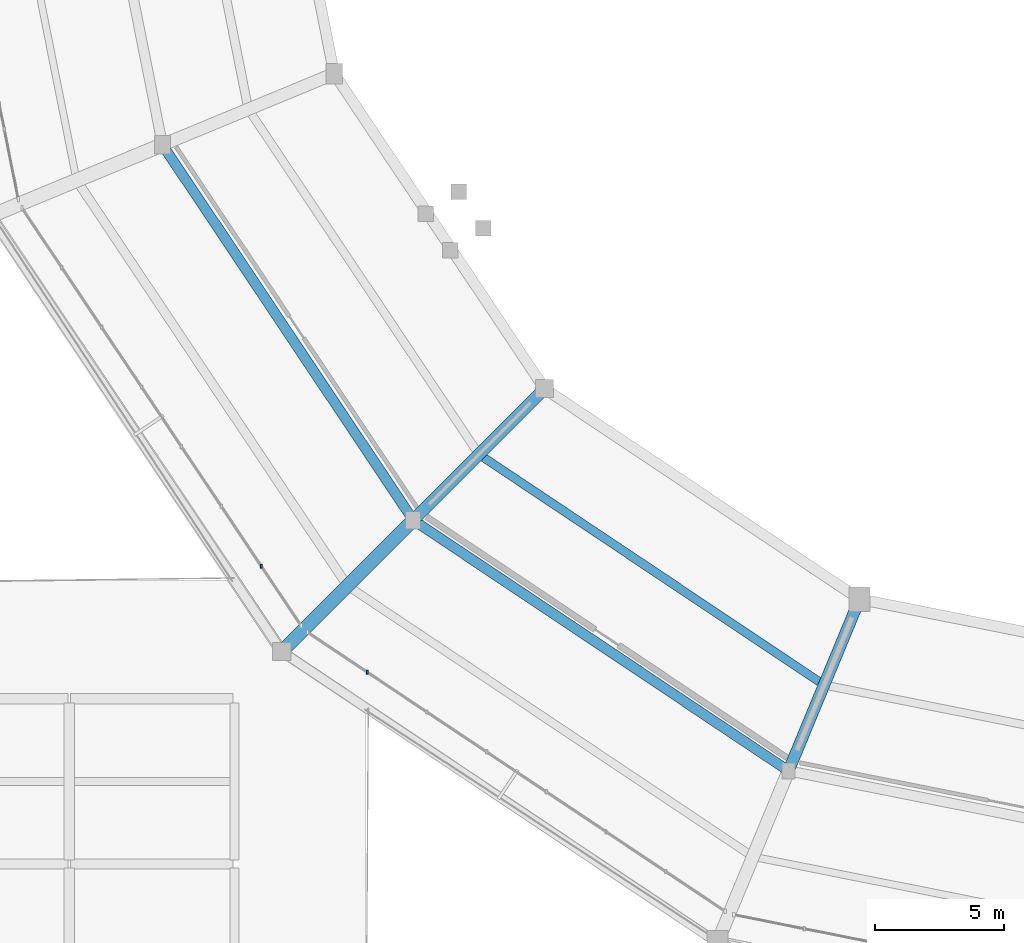
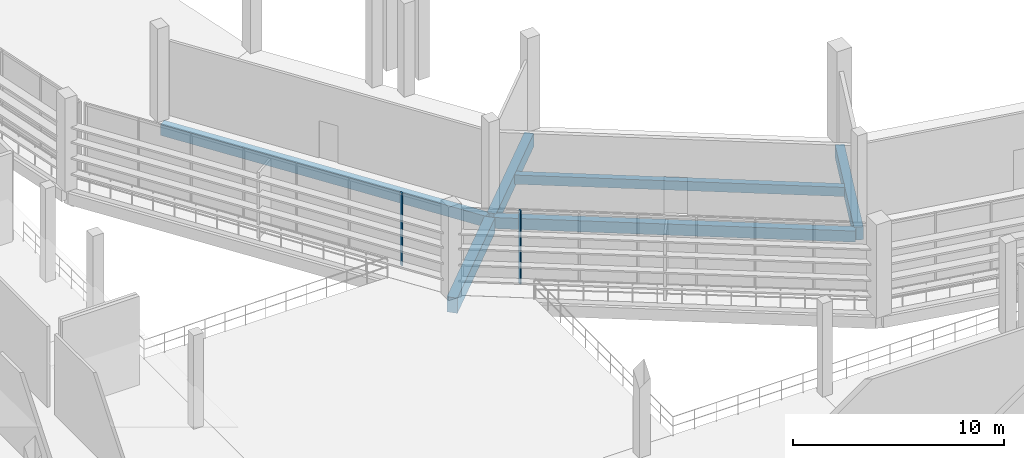
# One storey, part 16 of 111: 6 beams, 2 members, 2 elements without a shape of their own.
"""IFC4 building model written with IfcOpenShell, lengths in metres."""

from ifc_helpers import new_model, si_unit, direction, frame, origin, origin_2d, place, context, subcontext, project, spatial, rectangle, extrude, material, material_profile, profile_set, type_object, element, aggregate, save


model = new_model("IFC4")

# Units and contexts
model_context = context("Model", 3, precision=1e-05, world=origin(), true_north=direction((0.0, 1.0)))
body_context = subcontext(model_context, "Body", "Model", "MODEL_VIEW")
ifc_project = project(units=[si_unit("LENGTHUNIT", "METRE"), si_unit("AREAUNIT", "SQUARE_METRE"), si_unit("VOLUMEUNIT", "CUBIC_METRE"), si_unit("PLANEANGLEUNIT", "RADIAN"), si_unit("MASSUNIT", "GRAM", prefix="KILO")], contexts=[model_context])

# Site, building, storey
site_placement = place(None, origin())
site = spatial("IfcSite", under=ifc_project, at=site_placement, CompositionType="ELEMENT")
building_placement = place(site_placement, origin())
building = spatial("IfcBuilding", under=site, at=building_placement, Name="Candeia Ridge Stadium", CompositionType="ELEMENT")
storey_placement = place(building_placement, frame((0.0, 0.0, 16.199951171875)))
storey = spatial("IfcBuildingStorey", under=building, at=storey_placement, Name="L03", CompositionType="ELEMENT", Elevation=16.199951171875)

# Beam
ifc_material_1 = material(Name="Concrete C45/55", Category="concrete")
ifc_material_profile_1 = material_profile(ifc_material_1, rectangle(XDim=0.449951171875, YDim=0.75, at=origin_2d()), Name="RC450x750", Category="concrete")
ifc_profile_set_1 = profile_set([ifc_material_profile_1], Name="Concrete C45/55")
beam_type_1 = type_object("IfcBeamType", Name="Bowl Radial Girder RC450x750", PredefinedType="BEAM", material=ifc_profile_set_1)
beam_1_placement = place(storey_placement, frame((56.5498046875, 36.1142578125, -0.625), z_axis=(-0.382681914982, -0.923880161031, 0.0), x_axis=(0.923880161031, -0.382681914982, 0.0)))
element("IfcBeam", 1, at=beam_1_placement, inside=storey, type_object=beam_type_1, Name="Bowl radial girder BM-L03-0515", PredefinedType="BEAM", context=body_context, shape_type="SweptSolid", body=[
    extrude(rectangle(XDim=0.449951171875, YDim=0.75, at=origin_2d()), origin(), (0.0, 0.0, 1.0), 6.8798828125),
])

# Curtain wall, member
ifc_material_2 = material(Name="Aluminium Anodized Warm Bronze", Category="aluminium")
curtain_wall_type = type_object("IfcCurtainWallType", Name="Concourse Recessed Unitised Curtain Wall", PredefinedType="NOTDEFINED", material=ifc_material_2)
curtain_wall_1_placement = place(storey_placement, origin())
curtain_wall_1 = element("IfcCurtainWall", 2, at=curtain_wall_1_placement, inside=storey, type_object=curtain_wall_type, Name="Unitised curtain wall CW-BWL-L03-15", PredefinedType="NOTDEFINED")
ifc_material_profile_2 = material_profile(ifc_material_2, rectangle(XDim=0.074951171875, YDim=0.14990234375, at=origin_2d()), Name="CWM-75x150", Category="aluminium")
ifc_profile_set_2 = profile_set([ifc_material_profile_2], Name="Aluminium Anodized Warm Bronze")
member_type = type_object("IfcMemberType", Name="Curtain Wall Secondary Mullion 75x150", PredefinedType="MULLION", material=ifc_profile_set_2)
member_1_placement = place(storey_placement, frame((33.434326171875, 37.540283203125, 0.0), z_axis=(0.0, 0.0, 1.0), x_axis=(1.0, 0.0, 0.0)))
member_1 = element("IfcMember", 3, at=member_1_placement, type_object=member_type, Name="Curtain wall mullion CW-BWL-L03-15-M6", PredefinedType="MULLION", context=body_context, shape_type="SweptSolid", body=[
    extrude(rectangle(XDim=0.074951171875, YDim=0.14990234375, at=origin_2d()), origin(), (0.0, 0.0, 1.0), 4.205078125),
])
aggregate(curtain_wall_1, [member_1])

curtain_wall_2_placement = place(storey_placement, origin())
curtain_wall_2 = element("IfcCurtainWall", 4, at=curtain_wall_2_placement, inside=storey, type_object=curtain_wall_type, Name="Unitised curtain wall CW-BWL-L03-16", PredefinedType="NOTDEFINED")
member_2_placement = place(storey_placement, frame((37.540283203125, 33.434326171875, 0.0), z_axis=(0.0, 0.0, 1.0), x_axis=(1.0, 0.0, 0.0)))
member_2 = element("IfcMember", 5, at=member_2_placement, type_object=member_type, Name="Curtain wall mullion CW-BWL-L03-16-M1", PredefinedType="MULLION", context=body_context, shape_type="SweptSolid", body=[
    extrude(rectangle(XDim=0.074951171875, YDim=0.14990234375, at=origin_2d()), origin(), (0.0, 0.0, 1.0), 4.2451171875),
])
aggregate(curtain_wall_2, [member_2])

# Beams
ifc_material_3 = material(Name="Concrete C40/50", Category="concrete")
ifc_material_profile_3 = material_profile(ifc_material_3, rectangle(XDim=0.330078125, YDim=0.530029296875, at=origin_2d()), Name="RC330x530", Category="concrete")
ifc_profile_set_3 = profile_set([ifc_material_profile_3], Name="Concrete C40/50")
beam_type_2 = type_object("IfcBeamType", Name="Floor Joist RC330x530", PredefinedType="JOIST", material=ifc_profile_set_3)
beam_2_placement = place(storey_placement, frame((42.0517578125, 41.743896484375, -0.514892578125), z_axis=(0.831470752017, -0.555568527312, 0.0), x_axis=(0.555568527312, 0.831470752017, 0.0)))
element("IfcBeam", 6, at=beam_2_placement, inside=storey, type_object=beam_type_2, Name="Concourse secondary joist BM-L03-0631", PredefinedType="JOIST", context=body_context, shape_type="SweptSolid", body=[
    extrude(rectangle(XDim=0.330078125, YDim=0.530029296875, at=origin_2d()), origin(), (0.0, 0.0, 1.0), 15.63134765625),
])
ifc_material_profile_4 = material_profile(ifc_material_3, rectangle(XDim=0.389892578125, YDim=0.639892578125, at=origin_2d()), Name="RC390x640", Category="concrete")
ifc_profile_set_4 = profile_set([ifc_material_profile_4], Name="Concrete C40/50")
beam_type_3 = type_object("IfcBeamType", Name="Frame Girder RC390x640", PredefinedType="BEAM", material=ifc_profile_set_4)
for number, where, z_axis, x_axis, name in (
    (7, (29.698974609375, 53.72265625, -0.570068359375), (0.555573223542, -0.831467614091, 0.0), (0.831467614091, 0.555573223542, 0.0), "Concourse spine girder BM-L03-0624"),
    (8, (39.45458984375, 39.232666015625, -0.570068359375), (0.831467614091, -0.555573223542, 0.0), (0.555573223542, 0.831467614091, 0.0), "Concourse spine girder BM-L03-0629"),
):
    element("IfcBeam", number, at=place(storey_placement, frame(where, z_axis=z_axis, x_axis=x_axis)), inside=storey, type_object=beam_type_3, Name=name, PredefinedType="BEAM", context=body_context, shape_type="SweptSolid", body=[
        extrude(rectangle(XDim=0.389892578125, YDim=0.639892578125, at=origin_2d()), origin(), (0.0, 0.0, 1.0), 17.16015625),
    ])
ifc_material_profile_5 = material_profile(ifc_material_3, rectangle(XDim=0.4599609375, YDim=0.780029296875, at=origin_2d()), Name="RC460x780", Category="concrete")
ifc_profile_set_5 = profile_set([ifc_material_profile_5], Name="Concrete C40/50")
beam_type_4 = type_object("IfcBeamType", Name="Frame Girder RC460x780", PredefinedType="BEAM", material=ifc_profile_set_5)
beam_3_placement = place(storey_placement, frame((44.299560546875, 44.299560546875, -0.639892578125), z_axis=(-0.707106781187, -0.707106781187, 0.0), x_axis=(0.707106781187, -0.707106781187, 0.0)))
element("IfcBeam", 9, at=beam_3_placement, inside=storey, type_object=beam_type_4, Name="Bowl radial girder BM-L03-0513", PredefinedType="BEAM", context=body_context, shape_type="SweptSolid", body=[
    extrude(rectangle(XDim=0.4599609375, YDim=0.780029296875, at=origin_2d()), origin(), (0.0, 0.0, 1.0), 6.8798828125),
])
ifc_material_profile_6 = material_profile(ifc_material_1, rectangle(XDim=0.52001953125, YDim=0.8798828125, at=origin_2d()), Name="RC520x880", Category="concrete")
ifc_profile_set_6 = profile_set([ifc_material_profile_6], Name="Concrete C45/55")
beam_type_5 = type_object("IfcBeamType", Name="Frame Girder RC520x880", PredefinedType="BEAM", material=ifc_profile_set_6)
beam_4_placement = place(storey_placement, frame((39.20849609375, 39.20849609375, -0.68994140625), z_axis=(-0.707106781187, -0.707106781187, 0.0), x_axis=(0.707106781187, -0.707106781187, 0.0)))
element("IfcBeam", 10, at=beam_4_placement, inside=storey, type_object=beam_type_5, Name="Bowl radial girder BM-L03-0514", PredefinedType="BEAM", context=body_context, shape_type="SweptSolid", body=[
    extrude(rectangle(XDim=0.52001953125, YDim=0.8798828125, at=origin_2d()), origin(), (0.0, 0.0, 1.0), 6.880126953125),
])

save(model, "model.ifc")
